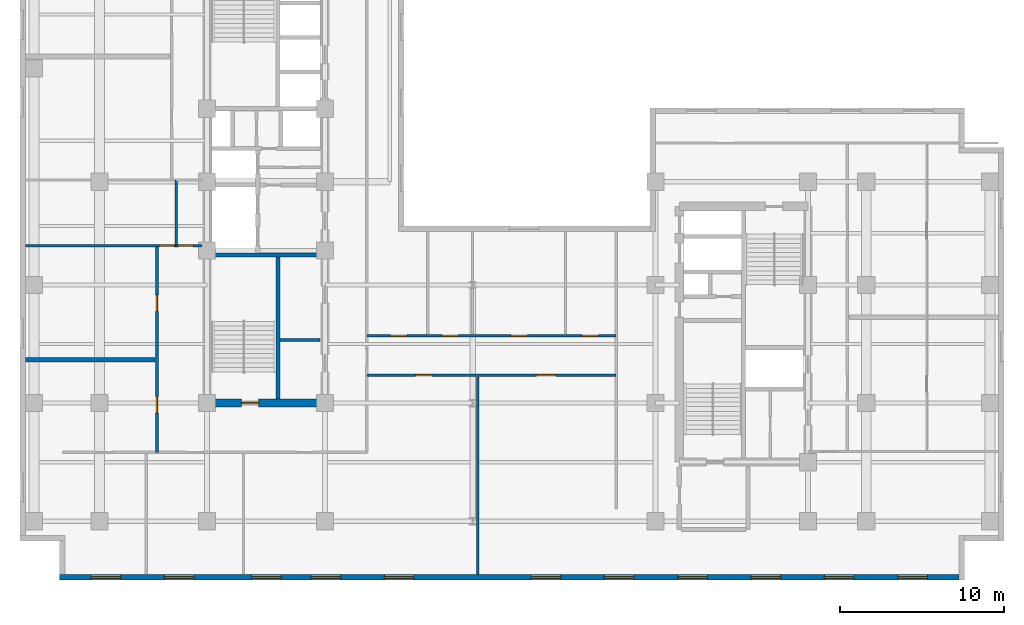
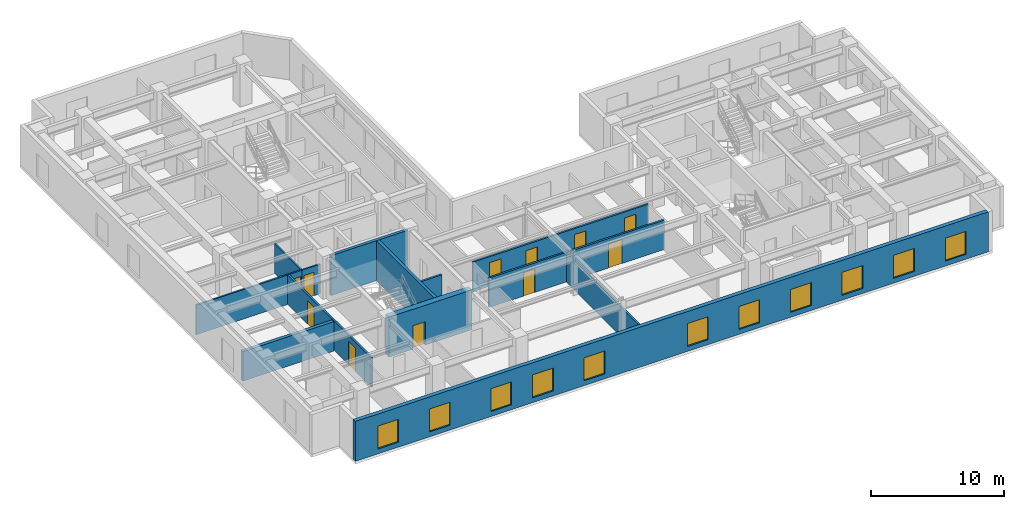
# One storey, part 3 of 10: 13 walls, 11 doors, 11 windows, 22 openings.
"""IFC4 building model written with IfcOpenShell, lengths in metres."""

import ifcopenshell
import ifcopenshell.guid

model = None  # the IFC model being written
_history = None  # IfcOwnerHistory: only IFC2X3 demands one
_inside = {}  # id of a spatial element -> (the spatial element, [elements in it])
_under = {}  # id of a project, library or spatial element -> (it, [spatial elements below it])
_declared = {}  # id of a project -> (the project, [libraries it declares])
_typed = {}  # id of a type object -> (the type object, [elements of that type])
_made_of = {}  # id of a material, layer set ... -> (it, [elements and type objects made of it])


def new_model(schema):
    """Start an empty IFC model of exactly this schema.

    Asked for "IFC4X3", IfcOpenShell would pick the latest addendum, in which some entities
    have other attributes; the version numbers below select the first issue.
    IFC2X3 requires an IfcOwnerHistory on every rooted entity: one is made here for all.
    """
    global model, _history
    if schema == "IFC4X3":
        model = ifcopenshell.file(schema_version=(4, 3, 0, 0))
    else:
        model = ifcopenshell.file(schema=schema)
    _inside.clear()
    _under.clear()
    _declared.clear()
    _typed.clear()
    _made_of.clear()
    _history = None
    if model.schema == "IFC2X3":
        org = make("IfcOrganization", Name="unknown")
        user = make(
            "IfcPersonAndOrganization",
            ThePerson=make("IfcPerson", FamilyName="unknown"),
            TheOrganization=org,
        )
        app = make(
            "IfcApplication",
            ApplicationDeveloper=org,
            Version="unknown",
            ApplicationFullName="unknown",
            ApplicationIdentifier="unknown",
        )
        _history = make(
            "IfcOwnerHistory",
            OwningUser=user,
            OwningApplication=app,
            ChangeAction="ADDED",
            CreationDate=0,
        )
    return model


def make(cls, **values):
    """One entity of the class cls with the attributes given. An attribute that is None is left unset."""
    return model.create_entity(
        cls, **{name: value for name, value in values.items() if value is not None}
    )


def entity(cls, *values):
    """Any entity or typed value of the class cls, its attributes in the order of the schema. None: left unset."""
    e = model.create_entity(cls)
    for i, value in enumerate(values):
        if value is not None:
            e[i] = value
    return e


def rooted(cls, **values):
    """An entity with a GlobalId (a new one), such as an element, a storey or a relation."""
    return make(cls, GlobalId=ifcopenshell.guid.new(), OwnerHistory=_history, **values)


def si_unit(unit_type, name, prefix=None):
    """IfcSIUnit, for example si_unit("LENGTHUNIT", "METRE", prefix="MILLI")."""
    return make("IfcSIUnit", UnitType=unit_type, Prefix=prefix, Name=name)


def converted_unit(unit_type, name, factor, base, dimensions=None, offset=None):
    """IfcConversionBasedUnit, such as the inch: factor (a typed value) times the base unit."""
    return make(
        "IfcConversionBasedUnit"
        if offset is None
        else "IfcConversionBasedUnitWithOffset",
        ConversionOffset=offset,
        Dimensions=None
        if dimensions is None
        else entity("IfcDimensionalExponents", *dimensions),
        UnitType=unit_type,
        Name=name,
        ConversionFactor=make(
            "IfcMeasureWithUnit", ValueComponent=factor, UnitComponent=base
        ),
    )


def assignment(units):
    """IfcUnitAssignment: the units of a project."""
    return None if units is None else make("IfcUnitAssignment", Units=units)


def point(xyz):
    """IfcCartesianPoint."""
    return None if xyz is None else make("IfcCartesianPoint", Coordinates=xyz)


def direction(xyz):
    """IfcDirection."""
    return None if xyz is None else make("IfcDirection", DirectionRatios=xyz)


def frame(location, z_axis=None, x_axis=None):
    """IfcAxis2Placement3D, a coordinate frame: its origin and axes. An axis left out is left unset."""
    return make(
        "IfcAxis2Placement3D",
        Location=point(location),
        Axis=direction(z_axis),
        RefDirection=direction(x_axis),
    )


def frame_2d(location, x_axis=None):
    """IfcAxis2Placement2D, a coordinate frame in the plane: its origin and x axis."""
    return make(
        "IfcAxis2Placement2D", Location=point(location), RefDirection=direction(x_axis)
    )


def origin_with_axes():
    """The frame at (0, 0, 0) with the z axis (0, 0, 1) and the x axis (1, 0, 0) written out."""
    return frame((0.0, 0.0, 0.0), z_axis=(0.0, 0.0, 1.0), x_axis=(1.0, 0.0, 0.0))


def origin_2d_with_axis():
    """The frame at (0, 0) in the plane with the x axis (1, 0) written out."""
    return frame_2d((0.0, 0.0), x_axis=(1.0, 0.0))


def place(relative_to, where):
    """IfcLocalPlacement: puts the frame where relative to a parent placement (None: the world)."""
    return make(
        "IfcLocalPlacement", PlacementRelTo=relative_to, RelativePlacement=where
    )


def context(
    kind, dimensions, precision=None, world=None, true_north=None, identifier=None
):
    """IfcGeometricRepresentationContext, for example the 3D "Model" context."""
    return make(
        "IfcGeometricRepresentationContext",
        ContextIdentifier=identifier,
        ContextType=kind,
        CoordinateSpaceDimension=dimensions,
        Precision=precision,
        WorldCoordinateSystem=world,
        TrueNorth=true_north,
    )


def subcontext(parent, identifier, kind, view, scale=None):
    """IfcGeometricRepresentationSubContext, for example "Body" below "Model"."""
    return make(
        "IfcGeometricRepresentationSubContext",
        ContextIdentifier=identifier,
        ContextType=kind,
        ParentContext=parent,
        TargetScale=scale,
        TargetView=view,
    )


def project(units=None, contexts=None):
    """IfcProject with its units and contexts."""
    return rooted(
        "IfcProject",
        Name="project",
        RepresentationContexts=contexts,
        UnitsInContext=assignment(units),
    )


def spatial(cls, under=None, at=None, **own):
    """A site, building, storey or space (cls), placed at a placement, below another one or the project."""
    s = rooted(cls, ObjectPlacement=at, **own)
    if under is not None:
        _under.setdefault(under.id(), (under, []))[1].append(s)
    return s


def polyline(points):
    """IfcPolyline through the points."""
    return make("IfcPolyline", Points=[point(p) for p in points])


def profile(cls, at=None, kind="AREA", **sizes):
    """A parametric profile (cls). Its sizes go by their IFC names, for example OverallWidth=200.0."""
    return make(cls, ProfileType=kind, Position=at, **sizes)


def rectangle(**sizes):
    """IfcRectangleProfileDef."""
    return profile("IfcRectangleProfileDef", **sizes)


def outline(outer, holes=None, kind="AREA"):
    """IfcArbitraryClosedProfileDef: a profile drawn as a closed curve; with holes, ...WithVoids."""
    if holes is None:
        return make("IfcArbitraryClosedProfileDef", ProfileType=kind, OuterCurve=outer)
    return make(
        "IfcArbitraryProfileDefWithVoids",
        ProfileType=kind,
        OuterCurve=outer,
        InnerCurves=holes,
    )


def extrude(swept, where, along, depth):
    """IfcExtrudedAreaSolid: the profile swept, set in the frame where, extruded along a direction by depth."""
    return make(
        "IfcExtrudedAreaSolid",
        SweptArea=swept,
        Position=where,
        ExtrudedDirection=direction(along),
        Depth=depth,
    )


def shape(context_of_items, identifier, shape_type, items):
    """IfcShapeRepresentation: the items that make up one representation, for example the "Body"."""
    return make(
        "IfcShapeRepresentation",
        ContextOfItems=context_of_items,
        RepresentationIdentifier=identifier,
        RepresentationType=shape_type,
        Items=items,
    )


def material(Name=None, Category=None):
    """IfcMaterial."""
    return make("IfcMaterial", Name=Name, Category=Category)


def layer(
    of_material, thickness, ventilated=None, Name=None, Category=None, Priority=None
):
    """IfcMaterialLayer: one layer of a wall or slab, of a material (None: an air gap)."""
    return make(
        "IfcMaterialLayer",
        Material=of_material,
        LayerThickness=thickness,
        IsVentilated=ventilated,
        Name=Name,
        Category=Category,
        Priority=Priority,
    )


def layer_set(layers, Name=None):
    """IfcMaterialLayerSet."""
    return make("IfcMaterialLayerSet", MaterialLayers=layers, LayerSetName=Name)


def made_of(thing, what):
    """Note that an element or type object is made of a material, layer set ...; save() writes the relation."""
    if what is not None:
        _made_of.setdefault(what.id(), (what, []))[1].append(thing)
    return thing


def type_object(cls, material=None, **own):
    """A type object (cls), such as IfcWallType, which elements share."""
    return made_of(rooted(cls, **own), material)


def element(
    cls,
    number,
    at=None,
    inside=None,
    cuts=None,
    type_object=None,
    material=None,
    context=None,
    identifier="Body",
    shape_type=None,
    held_by="IfcProductDefinitionShape",
    body=None,
    shapes=None,
    **own,
):
    """One element of the class cls, such as IfcWall. Its Tag is "e" and its number.

    at: its placement. inside: the storey or other place that contains it. cuts: it is an
    opening in that element (IfcRelVoidsElement). A single representation is given by context,
    identifier, shape_type and body (its items); several are given by shapes. held_by: the class
    of the entity that holds the representations. save() writes the other relations.
    """
    e = rooted(cls, Tag="e%d" % number, ObjectPlacement=at, **own)
    if body is not None:
        shapes = [shape(context, identifier, shape_type, body)]
    if shapes is not None:
        e.Representation = make(held_by, Representations=shapes)
    if inside is not None:
        _inside.setdefault(inside.id(), (inside, []))[1].append(e)
    if cuts is not None:
        rooted(
            "IfcRelVoidsElement", RelatingBuildingElement=cuts, RelatedOpeningElement=e
        )
    if type_object is not None:
        _typed.setdefault(type_object.id(), (type_object, []))[1].append(e)
    return made_of(e, material)


def fill(opening, filler):
    """IfcRelFillsElement: the door or window that sits in an opening."""
    return rooted(
        "IfcRelFillsElement",
        RelatingOpeningElement=opening,
        RelatedBuildingElement=filler,
    )


def aggregate(whole, parts):
    """IfcRelAggregates: a whole, such as a stair, and the parts it consists of."""
    return rooted("IfcRelAggregates", RelatingObject=whole, RelatedObjects=parts)


def save(model, path):
    """Write the relations noted so far, then the file.

    IfcRelAggregates (storeys below a building ...), IfcRelContainedInSpatialStructure (elements
    in a storey), IfcRelDefinesByType, IfcRelAssociatesMaterial and IfcRelDeclares: one each for
    every whole, place, type object, material and project.
    """
    for whole, parts in _under.values():
        aggregate(whole, parts)
    for where, things in _inside.values():
        rooted(
            "IfcRelContainedInSpatialStructure",
            RelatedElements=things,
            RelatingStructure=where,
        )
    for kind, things in _typed.values():
        rooted("IfcRelDefinesByType", RelatedObjects=things, RelatingType=kind)
    for what, things in _made_of.values():
        rooted("IfcRelAssociatesMaterial", RelatedObjects=things, RelatingMaterial=what)
    for by, libraries in _declared.values():
        rooted("IfcRelDeclares", RelatingContext=by, RelatedDefinitions=libraries)
    model.write(path)


model = new_model("IFC4")

# Units and contexts
model_context = context("Model", 3, precision=1e-05, world=origin_with_axes(), true_north=direction((0.0, 1.0)))
body_context = subcontext(model_context, "Body", "Model", "MODEL_VIEW")
ifc_project = project(units=[si_unit("LENGTHUNIT", "METRE"), si_unit("AREAUNIT", "SQUARE_METRE"), si_unit("VOLUMEUNIT", "CUBIC_METRE"), converted_unit("PLANEANGLEUNIT", "DEGREE", entity("IfcPlaneAngleMeasure", 0.017453292519943295), si_unit("PLANEANGLEUNIT", "RADIAN"), dimensions=[0, 0, 0, 0, 0, 0, 0]), si_unit("MASSUNIT", "GRAM", prefix="KILO"), si_unit("THERMODYNAMICTEMPERATUREUNIT", "KELVIN")], contexts=[model_context])

# Site, building, storey
site_placement = place(None, origin_with_axes())
site = spatial("IfcSite", under=ifc_project, at=site_placement, CompositionType="ELEMENT")
building_placement = place(site_placement, origin_with_axes())
building = spatial("IfcBuilding", under=site, at=building_placement, Name="Varnlund Millrace Tower", CompositionType="ELEMENT")
storey_placement = place(building_placement, frame((0.0, 0.0, 160.2), z_axis=(0.0, 0.0, 1.0), x_axis=(1.0, 0.0, 0.0)))
storey = spatial("IfcBuildingStorey", under=building, at=storey_placement, Name="L39", CompositionType="ELEMENT", Elevation=160.2)

# Wall, opening, door
ifc_material_1 = material(Name="Concrete C70/85", Category="concrete")
ifc_layer_1 = layer(ifc_material_1, 0.5, Name="Concrete C70/85")
ifc_layer_set_1 = layer_set([ifc_layer_1], Name="Concrete C70/85")
wall_type_1 = type_object("IfcWallType", Name="Type-CoreWall-Shear-500-C70", PredefinedType="SHEAR", material=ifc_layer_set_1)
wall_1_placement = place(storey_placement, frame((11.4, 10.8, 0.0), z_axis=(0.0, 0.0, 1.0), x_axis=(1.0, 0.0, 0.0)))
wall_1 = element("IfcWall", 1, at=wall_1_placement, inside=storey, type_object=wall_type_1, Name="Type-CoreWall-Shear-500-C70", PredefinedType="SHEAR", context=body_context, shape_type="SweptSolid", body=[
    extrude(outline(polyline([(0.0, -0.25), (7.2, -0.25), (7.2, 0.25), (0.0, 0.25), (0.0, -0.25)])), origin_with_axes(), (0.0, 0.0, 1.0), 3.66),
])
opening_1_placement = place(wall_1_placement, frame((2.625, 0.0, 0.0), z_axis=(0.0, 0.0, 1.0), x_axis=(1.0, 0.0, 0.0)))
opening_1 = element("IfcOpeningElement", 2, at=opening_1_placement, cuts=wall_1, Name="Opening L39:DR-STA1", PredefinedType="OPENING", context=body_context, shape_type="SweptSolid", body=[
    extrude(rectangle(XDim=1.05, YDim=0.52, at=origin_2d_with_axis()), origin_with_axes(), (0.0, 0.0, 1.0), 2.15),
])
ifc_material_2 = material(Name="Fire-rated hollow steel door", Category="steel")
door_type_1 = type_object("IfcDoorType", Name="Type-FireDoor-Stair-1050X2150", OperationType="NOTDEFINED", PredefinedType="DOOR", material=ifc_material_2)
door_1_placement = place(wall_1_placement, frame((2.625, 0.0, 0.0), z_axis=(0.0, 0.0, 1.0), x_axis=(1.0, 0.0, 0.0)))
door_1 = element("IfcDoor", 3, at=door_1_placement, inside=storey, type_object=door_type_1, Name="Type-FireDoor-Stair-1050X2150", OperationType="SINGLE_SWING_LEFT", OverallHeight=2.15, OverallWidth=1.05, PredefinedType="DOOR", context=body_context, shape_type="SweptSolid", body=[
    extrude(rectangle(XDim=1.05, YDim=0.09, at=origin_2d_with_axis()), origin_with_axes(), (0.0, 0.0, 1.0), 2.15),
])
fill(opening_1, door_1)

# Wall, openings, windows
ifc_material_3 = material(Name="Precast concrete C50/60", Category="concrete")
ifc_layer_2 = layer(ifc_material_3, 0.34, Name="Precast concrete C50/60")
ifc_layer_set_2 = layer_set([ifc_layer_2], Name="Precast concrete C50/60")
wall_type_2 = type_object("IfcWallType", Name="Type-ExtWall-Precast-Upper-340", PredefinedType="SOLIDWALL", material=ifc_layer_set_2)
wall_2_placement = place(storey_placement, frame((57.26, 0.17, 0.0), z_axis=(0.0, 0.0, 1.0), x_axis=(-1.0, 0.0, 0.0)))
wall_2 = element("IfcWall", 4, at=wall_2_placement, inside=storey, type_object=wall_type_2, Name="Type-ExtWall-Precast-Upper-340", PredefinedType="SOLIDWALL", context=body_context, shape_type="SweptSolid", body=[
    extrude(outline(polyline([(0.0, -0.17), (54.86, -0.17), (54.86, 0.17), (0.0, 0.17), (0.0, -0.17)])), origin_with_axes(), (0.0, 0.0, 1.0), 3.66),
])
opening_2_placement = place(wall_2_placement, frame((2.836, 0.0, 0.45), z_axis=(0.0, 0.0, 1.0), x_axis=(1.0, 0.0, 0.0)))
opening_2 = element("IfcOpeningElement", 5, at=opening_2_placement, cuts=wall_2, Name="Opening L39:WN-08", PredefinedType="OPENING", context=body_context, shape_type="SweptSolid", body=[
    extrude(rectangle(XDim=1.8, YDim=0.36, at=origin_2d_with_axis()), origin_with_axes(), (0.0, 0.0, 1.0), 2.1),
])
opening_3_placement = place(wall_2_placement, frame((7.307, 0.0, 0.45), z_axis=(0.0, 0.0, 1.0), x_axis=(1.0, 0.0, 0.0)))
opening_3 = element("IfcOpeningElement", 6, at=opening_3_placement, cuts=wall_2, Name="Opening L39:WN-09", PredefinedType="OPENING", context=body_context, shape_type="SweptSolid", body=[
    extrude(rectangle(XDim=1.8, YDim=0.36, at=origin_2d_with_axis()), origin_with_axes(), (0.0, 0.0, 1.0), 2.1),
])
opening_4_placement = place(wall_2_placement, frame((11.779, 0.0, 0.45), z_axis=(0.0, 0.0, 1.0), x_axis=(1.0, 0.0, 0.0)))
opening_4 = element("IfcOpeningElement", 7, at=opening_4_placement, cuts=wall_2, Name="Opening L39:WN-10", PredefinedType="OPENING", context=body_context, shape_type="SweptSolid", body=[
    extrude(rectangle(XDim=1.8, YDim=0.36, at=origin_2d_with_axis()), origin_with_axes(), (0.0, 0.0, 1.0), 2.1),
])
opening_5_placement = place(wall_2_placement, frame((16.251, 0.0, 0.45), z_axis=(0.0, 0.0, 1.0), x_axis=(1.0, 0.0, 0.0)))
opening_5 = element("IfcOpeningElement", 8, at=opening_5_placement, cuts=wall_2, Name="Opening L39:WN-11", PredefinedType="OPENING", context=body_context, shape_type="SweptSolid", body=[
    extrude(rectangle(XDim=1.8, YDim=0.36, at=origin_2d_with_axis()), origin_with_axes(), (0.0, 0.0, 1.0), 2.1),
])
opening_6_placement = place(wall_2_placement, frame((20.723, 0.0, 0.45), z_axis=(0.0, 0.0, 1.0), x_axis=(1.0, 0.0, 0.0)))
opening_6 = element("IfcOpeningElement", 9, at=opening_6_placement, cuts=wall_2, Name="Opening L39:WN-12", PredefinedType="OPENING", context=body_context, shape_type="SweptSolid", body=[
    extrude(rectangle(XDim=1.8, YDim=0.36, at=origin_2d_with_axis()), origin_with_axes(), (0.0, 0.0, 1.0), 2.1),
])
opening_7_placement = place(wall_2_placement, frame((25.194, 0.0, 0.45), z_axis=(0.0, 0.0, 1.0), x_axis=(1.0, 0.0, 0.0)))
opening_7 = element("IfcOpeningElement", 10, at=opening_7_placement, cuts=wall_2, Name="Opening L39:WN-13", PredefinedType="OPENING", context=body_context, shape_type="SweptSolid", body=[
    extrude(rectangle(XDim=1.8, YDim=0.36, at=origin_2d_with_axis()), origin_with_axes(), (0.0, 0.0, 1.0), 2.1),
])
opening_8_placement = place(wall_2_placement, frame((34.138, 0.0, 0.45), z_axis=(0.0, 0.0, 1.0), x_axis=(1.0, 0.0, 0.0)))
opening_8 = element("IfcOpeningElement", 11, at=opening_8_placement, cuts=wall_2, Name="Opening L39:WN-14", PredefinedType="OPENING", context=body_context, shape_type="SweptSolid", body=[
    extrude(rectangle(XDim=1.8, YDim=0.36, at=origin_2d_with_axis()), origin_with_axes(), (0.0, 0.0, 1.0), 2.1),
])
opening_9_placement = place(wall_2_placement, frame((38.609, 0.0, 0.45), z_axis=(0.0, 0.0, 1.0), x_axis=(1.0, 0.0, 0.0)))
opening_9 = element("IfcOpeningElement", 12, at=opening_9_placement, cuts=wall_2, Name="Opening L39:WN-15", PredefinedType="OPENING", context=body_context, shape_type="SweptSolid", body=[
    extrude(rectangle(XDim=1.8, YDim=0.36, at=origin_2d_with_axis()), origin_with_axes(), (0.0, 0.0, 1.0), 2.1),
])
opening_10_placement = place(wall_2_placement, frame((42.231, 0.0, 0.45), z_axis=(0.0, 0.0, 1.0), x_axis=(1.0, 0.0, 0.0)))
opening_10 = element("IfcOpeningElement", 13, at=opening_10_placement, cuts=wall_2, Name="Opening L39:WN-16", PredefinedType="OPENING", context=body_context, shape_type="SweptSolid", body=[
    extrude(rectangle(XDim=1.8, YDim=0.36, at=origin_2d_with_axis()), origin_with_axes(), (0.0, 0.0, 1.0), 2.1),
])
opening_11_placement = place(wall_2_placement, frame((47.553, 0.0, 0.45), z_axis=(0.0, 0.0, 1.0), x_axis=(1.0, 0.0, 0.0)))
opening_11 = element("IfcOpeningElement", 14, at=opening_11_placement, cuts=wall_2, Name="Opening L39:WN-17", PredefinedType="OPENING", context=body_context, shape_type="SweptSolid", body=[
    extrude(rectangle(XDim=1.8, YDim=0.36, at=origin_2d_with_axis()), origin_with_axes(), (0.0, 0.0, 1.0), 2.1),
])
opening_12_placement = place(wall_2_placement, frame((52.024, 0.0, 0.45), z_axis=(0.0, 0.0, 1.0), x_axis=(1.0, 0.0, 0.0)))
opening_12 = element("IfcOpeningElement", 15, at=opening_12_placement, cuts=wall_2, Name="Opening L39:WN-18", PredefinedType="OPENING", context=body_context, shape_type="SweptSolid", body=[
    extrude(rectangle(XDim=1.8, YDim=0.36, at=origin_2d_with_axis()), origin_with_axes(), (0.0, 0.0, 1.0), 2.1),
])
ifc_material_4 = material(Name="Argon low-e triple glazing in thermally broken bronze frame", Category="glass")
window_type = type_object("IfcWindowType", Name="Type-Window-Punched-1800X2100", PartitioningType="SINGLE_PANEL", PredefinedType="WINDOW", material=ifc_material_4)
window_1_placement = place(wall_2_placement, frame((2.836, 0.0, 0.45), z_axis=(0.0, 0.0, 1.0), x_axis=(1.0, 0.0, 0.0)))
window_1 = element("IfcWindow", 16, at=window_1_placement, inside=storey, type_object=window_type, Name="Type-Window-Punched-1800X2100", OverallHeight=2.1, OverallWidth=1.8, PredefinedType="WINDOW", context=body_context, shape_type="SweptSolid", body=[
    extrude(rectangle(XDim=1.8, YDim=0.09, at=origin_2d_with_axis()), origin_with_axes(), (0.0, 0.0, 1.0), 2.1),
])
fill(opening_2, window_1)
window_2_placement = place(wall_2_placement, frame((7.307, 0.0, 0.45), z_axis=(0.0, 0.0, 1.0), x_axis=(1.0, 0.0, 0.0)))
window_2 = element("IfcWindow", 17, at=window_2_placement, inside=storey, type_object=window_type, Name="Type-Window-Punched-1800X2100", OverallHeight=2.1, OverallWidth=1.8, PredefinedType="WINDOW", context=body_context, shape_type="SweptSolid", body=[
    extrude(rectangle(XDim=1.8, YDim=0.09, at=origin_2d_with_axis()), origin_with_axes(), (0.0, 0.0, 1.0), 2.1),
])
fill(opening_3, window_2)
window_3_placement = place(wall_2_placement, frame((11.779, 0.0, 0.45), z_axis=(0.0, 0.0, 1.0), x_axis=(1.0, 0.0, 0.0)))
window_3 = element("IfcWindow", 18, at=window_3_placement, inside=storey, type_object=window_type, Name="Type-Window-Punched-1800X2100", OverallHeight=2.1, OverallWidth=1.8, PredefinedType="WINDOW", context=body_context, shape_type="SweptSolid", body=[
    extrude(rectangle(XDim=1.8, YDim=0.09, at=origin_2d_with_axis()), origin_with_axes(), (0.0, 0.0, 1.0), 2.1),
])
fill(opening_4, window_3)
window_4_placement = place(wall_2_placement, frame((16.251, 0.0, 0.45), z_axis=(0.0, 0.0, 1.0), x_axis=(1.0, 0.0, 0.0)))
window_4 = element("IfcWindow", 19, at=window_4_placement, inside=storey, type_object=window_type, Name="Type-Window-Punched-1800X2100", OverallHeight=2.1, OverallWidth=1.8, PredefinedType="WINDOW", context=body_context, shape_type="SweptSolid", body=[
    extrude(rectangle(XDim=1.8, YDim=0.09, at=origin_2d_with_axis()), origin_with_axes(), (0.0, 0.0, 1.0), 2.1),
])
fill(opening_5, window_4)
window_5_placement = place(wall_2_placement, frame((20.723, 0.0, 0.45), z_axis=(0.0, 0.0, 1.0), x_axis=(1.0, 0.0, 0.0)))
window_5 = element("IfcWindow", 20, at=window_5_placement, inside=storey, type_object=window_type, Name="Type-Window-Punched-1800X2100", OverallHeight=2.1, OverallWidth=1.8, PredefinedType="WINDOW", context=body_context, shape_type="SweptSolid", body=[
    extrude(rectangle(XDim=1.8, YDim=0.09, at=origin_2d_with_axis()), origin_with_axes(), (0.0, 0.0, 1.0), 2.1),
])
fill(opening_6, window_5)
window_6_placement = place(wall_2_placement, frame((25.194, 0.0, 0.45), z_axis=(0.0, 0.0, 1.0), x_axis=(1.0, 0.0, 0.0)))
window_6 = element("IfcWindow", 21, at=window_6_placement, inside=storey, type_object=window_type, Name="Type-Window-Punched-1800X2100", OverallHeight=2.1, OverallWidth=1.8, PredefinedType="WINDOW", context=body_context, shape_type="SweptSolid", body=[
    extrude(rectangle(XDim=1.8, YDim=0.09, at=origin_2d_with_axis()), origin_with_axes(), (0.0, 0.0, 1.0), 2.1),
])
fill(opening_7, window_6)
window_7_placement = place(wall_2_placement, frame((34.138, 0.0, 0.45), z_axis=(0.0, 0.0, 1.0), x_axis=(1.0, 0.0, 0.0)))
window_7 = element("IfcWindow", 22, at=window_7_placement, inside=storey, type_object=window_type, Name="Type-Window-Punched-1800X2100", OverallHeight=2.1, OverallWidth=1.8, PredefinedType="WINDOW", context=body_context, shape_type="SweptSolid", body=[
    extrude(rectangle(XDim=1.8, YDim=0.09, at=origin_2d_with_axis()), origin_with_axes(), (0.0, 0.0, 1.0), 2.1),
])
fill(opening_8, window_7)
window_8_placement = place(wall_2_placement, frame((38.609, 0.0, 0.45), z_axis=(0.0, 0.0, 1.0), x_axis=(1.0, 0.0, 0.0)))
window_8 = element("IfcWindow", 23, at=window_8_placement, inside=storey, type_object=window_type, Name="Type-Window-Punched-1800X2100", OverallHeight=2.1, OverallWidth=1.8, PredefinedType="WINDOW", context=body_context, shape_type="SweptSolid", body=[
    extrude(rectangle(XDim=1.8, YDim=0.09, at=origin_2d_with_axis()), origin_with_axes(), (0.0, 0.0, 1.0), 2.1),
])
fill(opening_9, window_8)
window_9_placement = place(wall_2_placement, frame((42.231, 0.0, 0.45), z_axis=(0.0, 0.0, 1.0), x_axis=(1.0, 0.0, 0.0)))
window_9 = element("IfcWindow", 24, at=window_9_placement, inside=storey, type_object=window_type, Name="Type-Window-Punched-1800X2100", OverallHeight=2.1, OverallWidth=1.8, PredefinedType="WINDOW", context=body_context, shape_type="SweptSolid", body=[
    extrude(rectangle(XDim=1.8, YDim=0.09, at=origin_2d_with_axis()), origin_with_axes(), (0.0, 0.0, 1.0), 2.1),
])
fill(opening_10, window_9)
window_10_placement = place(wall_2_placement, frame((47.553, 0.0, 0.45), z_axis=(0.0, 0.0, 1.0), x_axis=(1.0, 0.0, 0.0)))
window_10 = element("IfcWindow", 25, at=window_10_placement, inside=storey, type_object=window_type, Name="Type-Window-Punched-1800X2100", OverallHeight=2.1, OverallWidth=1.8, PredefinedType="WINDOW", context=body_context, shape_type="SweptSolid", body=[
    extrude(rectangle(XDim=1.8, YDim=0.09, at=origin_2d_with_axis()), origin_with_axes(), (0.0, 0.0, 1.0), 2.1),
])
fill(opening_11, window_10)
window_11_placement = place(wall_2_placement, frame((52.024, 0.0, 0.45), z_axis=(0.0, 0.0, 1.0), x_axis=(1.0, 0.0, 0.0)))
window_11 = element("IfcWindow", 26, at=window_11_placement, inside=storey, type_object=window_type, Name="Type-Window-Punched-1800X2100", OverallHeight=2.1, OverallWidth=1.8, PredefinedType="WINDOW", context=body_context, shape_type="SweptSolid", body=[
    extrude(rectangle(XDim=1.8, YDim=0.09, at=origin_2d_with_axis()), origin_with_axes(), (0.0, 0.0, 1.0), 2.1),
])
fill(opening_12, window_11)

# Walls
ifc_material_5 = material(Name="Double-stud STC-60 conference acoustic partition", Category="gypsum")
ifc_layer_3 = layer(ifc_material_5, 0.28, Name="Double-stud STC-60 conference acoustic partition")
ifc_layer_set_3 = layer_set([ifc_layer_3], Name="Double-stud STC-60 conference acoustic partition")
wall_type_3 = type_object("IfcWallType", Name="Type-Partition-Acoustic-280", PredefinedType="PARTITIONING", material=ifc_layer_set_3)
wall_3_placement = place(storey_placement, frame((0.335, 13.454, 0.0), z_axis=(0.0, 0.0, 1.0), x_axis=(1.0, 0.0, 0.0)))
element("IfcWall", 27, at=wall_3_placement, inside=storey, type_object=wall_type_3, Name="Type-Partition-Acoustic-280", PredefinedType="PARTITIONING", context=body_context, shape_type="SweptSolid", body=[
    extrude(outline(polyline([(0.0, -0.14), (7.895, -0.14), (7.895, 0.14), (0.0, 0.14), (0.0, -0.14)])), origin_with_axes(), (0.0, 0.0, 1.0), 2.7),
])
ifc_material_6 = material(Name="Fire-rated gypsum board on cold-formed steel framing", Category="steel")
ifc_layer_4 = layer(ifc_material_6, 0.16, Name="Fire-rated gypsum board on cold-formed steel framing")
ifc_layer_set_4 = layer_set([ifc_layer_4], Name="Fire-rated gypsum board on cold-formed steel framing")
wall_type_4 = type_object("IfcWallType", Name="Type-Partition-Corridor-160", PredefinedType="PARTITIONING", material=ifc_layer_set_4)
wall_4_placement = place(storey_placement, frame((15.84, 14.65, 0.0), z_axis=(0.0, 0.0, 1.0), x_axis=(1.0, 0.0, 0.0)))
element("IfcWall", 28, at=wall_4_placement, inside=storey, type_object=wall_type_4, Name="Type-Partition-Corridor-160", PredefinedType="PARTITIONING", context=body_context, shape_type="SweptSolid", body=[
    extrude(outline(polyline([(0.0, -0.08), (2.46, -0.08), (2.46, 0.08), (0.0, 0.08), (0.0, -0.08)])), origin_with_axes(), (0.0, 0.0, 1.0), 2.7),
])

# Wall, openings, doors
wall_5_placement = place(storey_placement, frame((8.35, 7.8, 0.0), z_axis=(0.0, 0.0, 1.0), x_axis=(0.0, 1.0, 0.0)))
wall_5 = element("IfcWall", 29, at=wall_5_placement, inside=storey, type_object=wall_type_4, Name="Type-Partition-Corridor-160", PredefinedType="PARTITIONING", context=body_context, shape_type="SweptSolid", body=[
    extrude(outline(polyline([(0.0, -0.08), (12.6, -0.08), (12.6, 0.08), (0.0, 0.08), (0.0, -0.08)])), origin_with_axes(), (0.0, 0.0, 1.0), 2.7),
])
opening_13_placement = place(wall_5_placement, frame((2.892, 0.0, 0.0), z_axis=(0.0, 0.0, 1.0), x_axis=(1.0, 0.0, 0.0)))
opening_13 = element("IfcOpeningElement", 30, at=opening_13_placement, cuts=wall_5, Name="Opening L39:DR-WS-01", PredefinedType="OPENING", context=body_context, shape_type="SweptSolid", body=[
    extrude(rectangle(XDim=1.0, YDim=0.18, at=origin_2d_with_axis()), origin_with_axes(), (0.0, 0.0, 1.0), 2.15),
])
opening_14_placement = place(wall_5_placement, frame((9.087, 0.0, 0.0), z_axis=(0.0, 0.0, 1.0), x_axis=(1.0, 0.0, 0.0)))
opening_14 = element("IfcOpeningElement", 31, at=opening_14_placement, cuts=wall_5, Name="Opening L39:DR-WS-02", PredefinedType="OPENING", context=body_context, shape_type="SweptSolid", body=[
    extrude(rectangle(XDim=1.0, YDim=0.18, at=origin_2d_with_axis()), origin_with_axes(), (0.0, 0.0, 1.0), 2.15),
])
ifc_material_7 = material(Name="Solid-core white oak and bronze frame door")
door_type_2 = type_object("IfcDoorType", Name="Type-IntDoor-Office-1000X2150", OperationType="NOTDEFINED", PredefinedType="DOOR", material=ifc_material_7)
door_2_placement = place(wall_5_placement, frame((2.892, 0.0, 0.0), z_axis=(0.0, 0.0, 1.0), x_axis=(1.0, 0.0, 0.0)))
door_2 = element("IfcDoor", 32, at=door_2_placement, inside=storey, type_object=door_type_2, Name="Type-IntDoor-Office-1000X2150", OperationType="SINGLE_SWING_LEFT", OverallHeight=2.15, OverallWidth=1.0, PredefinedType="DOOR", context=body_context, shape_type="SweptSolid", body=[
    extrude(rectangle(XDim=1.0, YDim=0.09, at=origin_2d_with_axis()), origin_with_axes(), (0.0, 0.0, 1.0), 2.15),
])
fill(opening_13, door_2)
door_3_placement = place(wall_5_placement, frame((9.087, 0.0, 0.0), z_axis=(0.0, 0.0, 1.0), x_axis=(1.0, 0.0, 0.0)))
door_3 = element("IfcDoor", 33, at=door_3_placement, inside=storey, type_object=door_type_2, Name="Type-IntDoor-Office-1000X2150", OperationType="SINGLE_SWING_RIGHT", OverallHeight=2.15, OverallWidth=1.0, PredefinedType="DOOR", context=body_context, shape_type="SweptSolid", body=[
    extrude(rectangle(XDim=1.0, YDim=0.09, at=origin_2d_with_axis()), origin_with_axes(), (0.0, 0.0, 1.0), 2.15),
])
fill(opening_14, door_3)

wall_6_placement = place(storey_placement, frame((21.15, 12.5, 0.0), z_axis=(0.0, 0.0, 1.0), x_axis=(1.0, 0.0, 0.0)))
wall_6 = element("IfcWall", 34, at=wall_6_placement, inside=storey, type_object=wall_type_4, Name="Type-Partition-Corridor-160", PredefinedType="PARTITIONING", context=body_context, shape_type="SweptSolid", body=[
    extrude(outline(polyline([(0.0, -0.08), (15.2, -0.08), (15.2, 0.08), (0.0, 0.08), (0.0, -0.08)])), origin_with_axes(), (0.0, 0.0, 1.0), 2.7),
])
opening_15_placement = place(wall_6_placement, frame((3.468, 0.0, 0.0), z_axis=(0.0, 0.0, 1.0), x_axis=(1.0, 0.0, 0.0)))
opening_15 = element("IfcOpeningElement", 35, at=opening_15_placement, cuts=wall_6, Name="Opening L39:DR-KNS-01", PredefinedType="OPENING", context=body_context, shape_type="SweptSolid", body=[
    extrude(rectangle(XDim=1.0, YDim=0.18, at=origin_2d_with_axis()), origin_with_axes(), (0.0, 0.0, 1.0), 2.15),
])
opening_16_placement = place(wall_6_placement, frame((10.938, 0.0, 0.0), z_axis=(0.0, 0.0, 1.0), x_axis=(1.0, 0.0, 0.0)))
opening_16 = element("IfcOpeningElement", 36, at=opening_16_placement, cuts=wall_6, Name="Opening L39:DR-KNS-02", PredefinedType="OPENING", context=body_context, shape_type="SweptSolid", body=[
    extrude(rectangle(XDim=1.2, YDim=0.18, at=origin_2d_with_axis()), origin_with_axes(), (0.0, 0.0, 1.0), 2.2),
])
ifc_material_8 = material(Name="Wide executive white oak acoustic door")
door_type_3 = type_object("IfcDoorType", Name="Type-IntDoor-Exec-1200X2200", OperationType="NOTDEFINED", PredefinedType="DOOR", material=ifc_material_8)
door_4_placement = place(wall_6_placement, frame((10.938, 0.0, 0.0), z_axis=(0.0, 0.0, 1.0), x_axis=(1.0, 0.0, 0.0)))
door_4 = element("IfcDoor", 37, at=door_4_placement, inside=storey, type_object=door_type_3, Name="Type-IntDoor-Exec-1200X2200", OperationType="SINGLE_SWING_RIGHT", OverallHeight=2.2, OverallWidth=1.2, PredefinedType="DOOR", context=body_context, shape_type="SweptSolid", body=[
    extrude(rectangle(XDim=1.2, YDim=0.09, at=origin_2d_with_axis()), origin_with_axes(), (0.0, 0.0, 1.0), 2.2),
])
fill(opening_16, door_4)
door_5_placement = place(wall_6_placement, frame((3.468, 0.0, 0.0), z_axis=(0.0, 0.0, 1.0), x_axis=(1.0, 0.0, 0.0)))
door_5 = element("IfcDoor", 38, at=door_5_placement, inside=storey, type_object=door_type_2, Name="Type-IntDoor-Office-1000X2150", OperationType="SINGLE_SWING_LEFT", OverallHeight=2.15, OverallWidth=1.0, PredefinedType="DOOR", context=body_context, shape_type="SweptSolid", body=[
    extrude(rectangle(XDim=1.0, YDim=0.09, at=origin_2d_with_axis()), origin_with_axes(), (0.0, 0.0, 1.0), 2.15),
])
fill(opening_15, door_5)

wall_7_placement = place(storey_placement, frame((21.15, 14.9, 0.0), z_axis=(0.0, 0.0, 1.0), x_axis=(1.0, 0.0, 0.0)))
wall_7 = element("IfcWall", 39, at=wall_7_placement, inside=storey, type_object=wall_type_4, Name="Type-Partition-Corridor-160", PredefinedType="PARTITIONING", context=body_context, shape_type="SweptSolid", body=[
    extrude(outline(polyline([(0.0, -0.08), (15.2, -0.08), (15.2, 0.08), (0.0, 0.08), (0.0, -0.08)])), origin_with_axes(), (0.0, 0.0, 1.0), 2.7),
])
opening_17_placement = place(wall_7_placement, frame((1.9415, 0.0, 0.0), z_axis=(0.0, 0.0, 1.0), x_axis=(1.0, 0.0, 0.0)))
opening_17 = element("IfcOpeningElement", 40, at=opening_17_placement, cuts=wall_7, Name="Opening L39:DR-KN-01", PredefinedType="OPENING", context=body_context, shape_type="SweptSolid", body=[
    extrude(rectangle(XDim=1.0, YDim=0.18, at=origin_2d_with_axis()), origin_with_axes(), (0.0, 0.0, 1.0), 2.15),
])
opening_18_placement = place(wall_7_placement, frame((5.0765, 0.0, 0.0), z_axis=(0.0, 0.0, 1.0), x_axis=(1.0, 0.0, 0.0)))
opening_18 = element("IfcOpeningElement", 41, at=opening_18_placement, cuts=wall_7, Name="Opening L39:DR-KN-02", PredefinedType="OPENING", context=body_context, shape_type="SweptSolid", body=[
    extrude(rectangle(XDim=1.0, YDim=0.18, at=origin_2d_with_axis()), origin_with_axes(), (0.0, 0.0, 1.0), 2.15),
])
opening_19_placement = place(wall_7_placement, frame((9.2815, 0.0, 0.0), z_axis=(0.0, 0.0, 1.0), x_axis=(1.0, 0.0, 0.0)))
opening_19 = element("IfcOpeningElement", 42, at=opening_19_placement, cuts=wall_7, Name="Opening L39:DR-KN-03", PredefinedType="OPENING", context=body_context, shape_type="SweptSolid", body=[
    extrude(rectangle(XDim=1.0, YDim=0.18, at=origin_2d_with_axis()), origin_with_axes(), (0.0, 0.0, 1.0), 2.15),
])
opening_20_placement = place(wall_7_placement, frame((13.6165, 0.0, 0.0), z_axis=(0.0, 0.0, 1.0), x_axis=(1.0, 0.0, 0.0)))
opening_20 = element("IfcOpeningElement", 43, at=opening_20_placement, cuts=wall_7, Name="Opening L39:DR-KN-04", PredefinedType="OPENING", context=body_context, shape_type="SweptSolid", body=[
    extrude(rectangle(XDim=1.0, YDim=0.18, at=origin_2d_with_axis()), origin_with_axes(), (0.0, 0.0, 1.0), 2.15),
])
door_6_placement = place(wall_7_placement, frame((1.9415, 0.0, 0.0), z_axis=(0.0, 0.0, 1.0), x_axis=(1.0, 0.0, 0.0)))
door_6 = element("IfcDoor", 44, at=door_6_placement, inside=storey, type_object=door_type_2, Name="Type-IntDoor-Office-1000X2150", OperationType="SINGLE_SWING_LEFT", OverallHeight=2.15, OverallWidth=1.0, PredefinedType="DOOR", context=body_context, shape_type="SweptSolid", body=[
    extrude(rectangle(XDim=1.0, YDim=0.09, at=origin_2d_with_axis()), origin_with_axes(), (0.0, 0.0, 1.0), 2.15),
])
fill(opening_17, door_6)
door_7_placement = place(wall_7_placement, frame((5.0765, 0.0, 0.0), z_axis=(0.0, 0.0, 1.0), x_axis=(1.0, 0.0, 0.0)))
door_7 = element("IfcDoor", 45, at=door_7_placement, inside=storey, type_object=door_type_2, Name="Type-IntDoor-Office-1000X2150", OperationType="SINGLE_SWING_RIGHT", OverallHeight=2.15, OverallWidth=1.0, PredefinedType="DOOR", context=body_context, shape_type="SweptSolid", body=[
    extrude(rectangle(XDim=1.0, YDim=0.09, at=origin_2d_with_axis()), origin_with_axes(), (0.0, 0.0, 1.0), 2.15),
])
fill(opening_18, door_7)
door_8_placement = place(wall_7_placement, frame((9.2815, 0.0, 0.0), z_axis=(0.0, 0.0, 1.0), x_axis=(1.0, 0.0, 0.0)))
door_8 = element("IfcDoor", 46, at=door_8_placement, inside=storey, type_object=door_type_2, Name="Type-IntDoor-Office-1000X2150", OperationType="SINGLE_SWING_LEFT", OverallHeight=2.15, OverallWidth=1.0, PredefinedType="DOOR", context=body_context, shape_type="SweptSolid", body=[
    extrude(rectangle(XDim=1.0, YDim=0.09, at=origin_2d_with_axis()), origin_with_axes(), (0.0, 0.0, 1.0), 2.15),
])
fill(opening_19, door_8)
door_9_placement = place(wall_7_placement, frame((13.6165, 0.0, 0.0), z_axis=(0.0, 0.0, 1.0), x_axis=(1.0, 0.0, 0.0)))
door_9 = element("IfcDoor", 47, at=door_9_placement, inside=storey, type_object=door_type_2, Name="Type-IntDoor-Office-1000X2150", OperationType="SINGLE_SWING_RIGHT", OverallHeight=2.15, OverallWidth=1.0, PredefinedType="DOOR", context=body_context, shape_type="SweptSolid", body=[
    extrude(rectangle(XDim=1.0, YDim=0.09, at=origin_2d_with_axis()), origin_with_axes(), (0.0, 0.0, 1.0), 2.15),
])
fill(opening_20, door_9)

# Walls
ifc_material_9 = material(Name="Acoustic STC-50 gypsum board partition", Category="gypsum")
ifc_layer_5 = layer(ifc_material_9, 0.15, Name="Acoustic STC-50 gypsum board partition")
ifc_layer_set_5 = layer_set([ifc_layer_5], Name="Acoustic STC-50 gypsum board partition")
wall_type_5 = type_object("IfcWallType", Name="Type-Partition-Demising-150", PredefinedType="PARTITIONING", material=ifc_layer_set_5)
wall_8_placement = place(storey_placement, frame((27.906, 0.335, 0.0), z_axis=(0.0, 0.0, 1.0), x_axis=(0.0, 1.0, 0.0)))
element("IfcWall", 48, at=wall_8_placement, inside=storey, type_object=wall_type_5, Name="Type-Partition-Demising-150", PredefinedType="PARTITIONING", context=body_context, shape_type="SweptSolid", body=[
    extrude(outline(polyline([(0.0, -0.075), (12.045, -0.075), (12.045, 0.075), (0.0, 0.075), (0.0, -0.075)])), origin_with_axes(), (0.0, 0.0, 1.0), 2.7),
])
ifc_material_10 = material(Name="Moisture-resistant gypsum restroom partition", Category="gypsum")
ifc_layer_6 = layer(ifc_material_10, 0.14, Name="Moisture-resistant gypsum restroom partition")
ifc_layer_set_6 = layer_set([ifc_layer_6], Name="Moisture-resistant gypsum restroom partition")
wall_type_6 = type_object("IfcWallType", Name="Type-Partition-Wet-140", PredefinedType="PARTITIONING", material=ifc_layer_set_6)
wall_9_placement = place(storey_placement, frame((9.52, 20.4, 0.0), z_axis=(0.0, 0.0, 1.0), x_axis=(0.0, 1.0, 0.0)))
element("IfcWall", 49, at=wall_9_placement, inside=storey, type_object=wall_type_6, Name="Type-Partition-Wet-140", PredefinedType="PARTITIONING", context=body_context, shape_type="SweptSolid", body=[
    extrude(outline(polyline([(0.0, -0.07), (4.0, -0.07), (4.0, 0.07), (0.0, 0.07), (0.0, -0.07)])), origin_with_axes(), (0.0, 0.0, 1.0), 2.7),
])

# Wall, opening, door
wall_10_placement = place(storey_placement, frame((9.52, 20.4, 0.0), z_axis=(0.0, 0.0, 1.0), x_axis=(1.0, 0.0, 0.0)))
wall_10 = element("IfcWall", 50, at=wall_10_placement, inside=storey, type_object=wall_type_6, Name="Type-Partition-Wet-140", PredefinedType="PARTITIONING", context=body_context, shape_type="SweptSolid", body=[
    extrude(outline(polyline([(0.0, -0.07), (1.58, -0.07), (1.58, 0.07), (0.0, 0.07), (0.0, -0.07)])), origin_with_axes(), (0.0, 0.0, 1.0), 2.7),
])
opening_21_placement = place(wall_10_placement, frame((0.59, 0.0, 0.0), z_axis=(0.0, 0.0, 1.0), x_axis=(1.0, 0.0, 0.0)))
opening_21 = element("IfcOpeningElement", 51, at=opening_21_placement, cuts=wall_10, Name="Opening L39:DR-CA-WCW", PredefinedType="OPENING", context=body_context, shape_type="SweptSolid", body=[
    extrude(rectangle(XDim=0.9, YDim=0.16, at=origin_2d_with_axis()), origin_with_axes(), (0.0, 0.0, 1.0), 2.15),
])
ifc_material_11 = material(Name="Painted steel riser and closet door", Category="steel")
door_type_4 = type_object("IfcDoorType", Name="Type-IntDoor-Closet-900X2150", OperationType="NOTDEFINED", PredefinedType="DOOR", material=ifc_material_11)
door_10_placement = place(wall_10_placement, frame((0.59, 0.0, 0.0), z_axis=(0.0, 0.0, 1.0), x_axis=(1.0, 0.0, 0.0)))
door_10 = element("IfcDoor", 52, at=door_10_placement, inside=storey, type_object=door_type_4, Name="Type-IntDoor-Closet-900X2150", OperationType="SINGLE_SWING_LEFT", OverallHeight=2.15, OverallWidth=0.9, PredefinedType="DOOR", context=body_context, shape_type="SweptSolid", body=[
    extrude(rectangle(XDim=0.9, YDim=0.084, at=origin_2d_with_axis()), origin_with_axes(), (0.0, 0.0, 1.0), 2.15),
])
fill(opening_21, door_10)

wall_11_placement = place(storey_placement, frame((0.335, 20.4, 0.0), z_axis=(0.0, 0.0, 1.0), x_axis=(1.0, 0.0, 0.0)))
wall_11 = element("IfcWall", 53, at=wall_11_placement, inside=storey, type_object=wall_type_6, Name="Type-Partition-Wet-140", PredefinedType="PARTITIONING", context=body_context, shape_type="SweptSolid", body=[
    extrude(outline(polyline([(0.0, -0.07), (9.185, -0.07), (9.185, 0.07), (0.0, 0.07), (0.0, -0.07)])), origin_with_axes(), (0.0, 0.0, 1.0), 2.7),
])
opening_22_placement = place(wall_11_placement, frame((8.615, 0.0, 0.0), z_axis=(0.0, 0.0, 1.0), x_axis=(1.0, 0.0, 0.0)))
opening_22 = element("IfcOpeningElement", 54, at=opening_22_placement, cuts=wall_11, Name="Opening L39:DR-W-MIDR", PredefinedType="OPENING", context=body_context, shape_type="SweptSolid", body=[
    extrude(rectangle(XDim=0.9, YDim=0.16, at=origin_2d_with_axis()), origin_with_axes(), (0.0, 0.0, 1.0), 2.15),
])
door_11_placement = place(wall_11_placement, frame((8.615, 0.0, 0.0), z_axis=(0.0, 0.0, 1.0), x_axis=(1.0, 0.0, 0.0)))
door_11 = element("IfcDoor", 55, at=door_11_placement, inside=storey, type_object=door_type_4, Name="Type-IntDoor-Closet-900X2150", OperationType="SINGLE_SWING_LEFT", OverallHeight=2.15, OverallWidth=0.9, PredefinedType="DOOR", context=body_context, shape_type="SweptSolid", body=[
    extrude(rectangle(XDim=0.9, YDim=0.084, at=origin_2d_with_axis()), origin_with_axes(), (0.0, 0.0, 1.0), 2.15),
])
fill(opening_22, door_11)

# Walls
ifc_material_12 = material(Name="Concrete C60/75", Category="concrete")
ifc_layer_7 = layer(ifc_material_12, 0.25, Name="Concrete C60/75")
ifc_layer_set_7 = layer_set([ifc_layer_7], Name="Concrete C60/75")
wall_type_7 = type_object("IfcWallType", Name="Type-StairWall-Shear-250", PredefinedType="SHEAR", material=ifc_layer_set_7)
wall_12_placement = place(storey_placement, frame((15.725, 11.05, 0.0), z_axis=(0.0, 0.0, 1.0), x_axis=(0.0, 1.0, 0.0)))
element("IfcWall", 56, at=wall_12_placement, inside=storey, type_object=wall_type_7, Name="Type-StairWall-Shear-250", PredefinedType="SHEAR", context=body_context, shape_type="SweptSolid", body=[
    extrude(outline(polyline([(0.0, -0.125), (8.65, -0.125), (8.65, 0.125), (0.0, 0.125), (0.0, -0.125)])), origin_with_axes(), (0.0, 0.0, 1.0), 3.66),
])
wall_13_placement = place(storey_placement, frame((11.65, 19.825, 0.0), z_axis=(0.0, 0.0, 1.0), x_axis=(1.0, 0.0, 0.0)))
element("IfcWall", 57, at=wall_13_placement, inside=storey, type_object=wall_type_7, Name="Type-StairWall-Shear-250", PredefinedType="SHEAR", context=body_context, shape_type="SweptSolid", body=[
    extrude(outline(polyline([(0.0, -0.125), (6.7, -0.125), (6.7, 0.125), (0.0, 0.125), (0.0, -0.125)])), origin_with_axes(), (0.0, 0.0, 1.0), 3.66),
])

save(model, "model.ifc")
